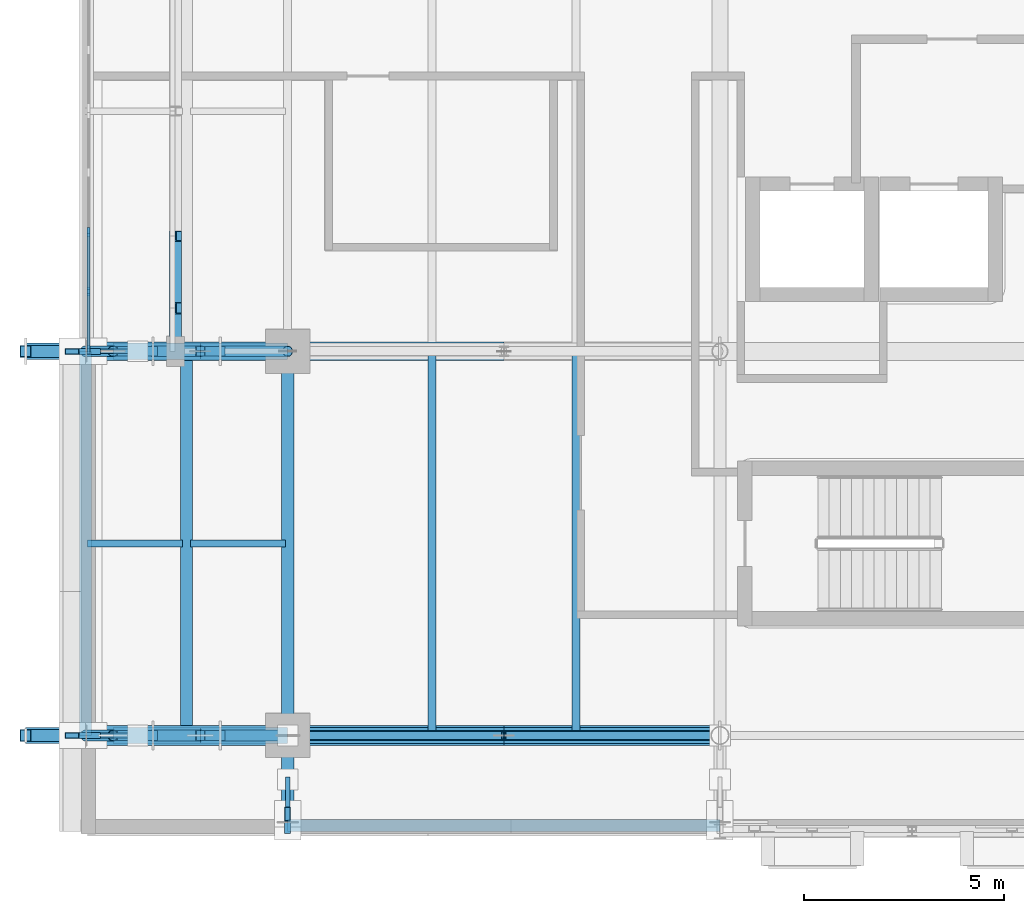
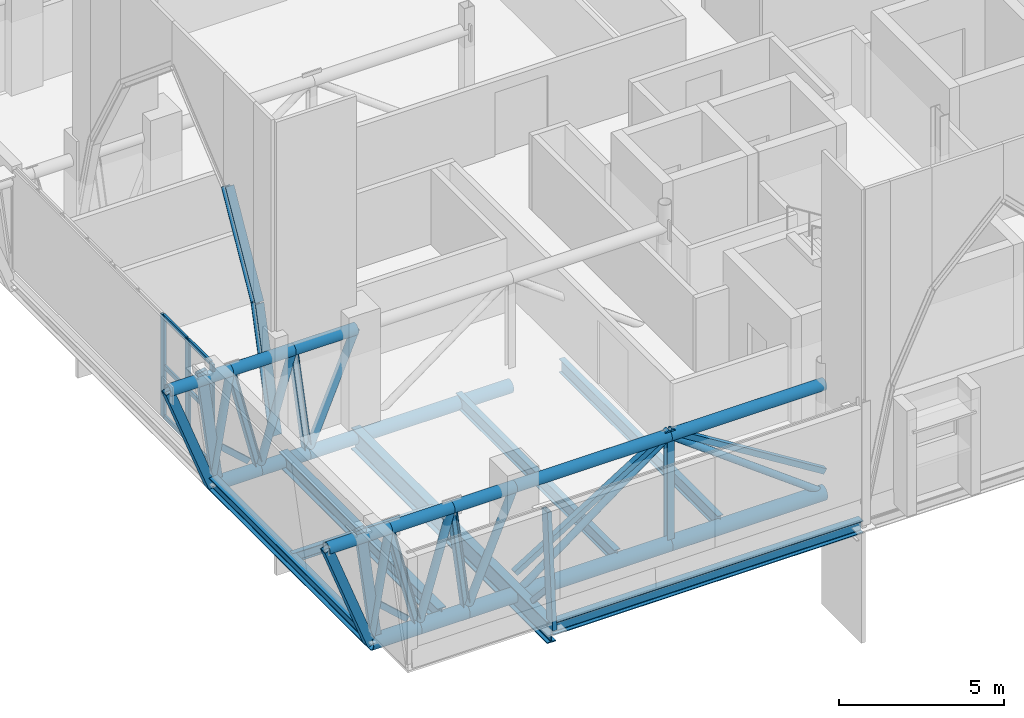
# One storey, part 19 of 90: 51 members, 8 beams, 1 element without a shape of its own.
"""IFC4 building model written with IfcOpenShell, lengths in metres."""

import ifcopenshell
import ifcopenshell.guid

model = None  # the IFC model being written
_history = None  # IfcOwnerHistory: only IFC2X3 demands one
_inside = {}  # id of a spatial element -> (the spatial element, [elements in it])
_under = {}  # id of a project, library or spatial element -> (it, [spatial elements below it])
_declared = {}  # id of a project -> (the project, [libraries it declares])
_typed = {}  # id of a type object -> (the type object, [elements of that type])
_made_of = {}  # id of a material, layer set ... -> (it, [elements and type objects made of it])


def new_model(schema):
    """Start an empty IFC model of exactly this schema.

    Asked for "IFC4X3", IfcOpenShell would pick the latest addendum, in which some entities
    have other attributes; the version numbers below select the first issue.
    IFC2X3 requires an IfcOwnerHistory on every rooted entity: one is made here for all.
    """
    global model, _history
    if schema == "IFC4X3":
        model = ifcopenshell.file(schema_version=(4, 3, 0, 0))
    else:
        model = ifcopenshell.file(schema=schema)
    _inside.clear()
    _under.clear()
    _declared.clear()
    _typed.clear()
    _made_of.clear()
    _history = None
    if model.schema == "IFC2X3":
        org = make("IfcOrganization", Name="unknown")
        user = make(
            "IfcPersonAndOrganization",
            ThePerson=make("IfcPerson", FamilyName="unknown"),
            TheOrganization=org,
        )
        app = make(
            "IfcApplication",
            ApplicationDeveloper=org,
            Version="unknown",
            ApplicationFullName="unknown",
            ApplicationIdentifier="unknown",
        )
        _history = make(
            "IfcOwnerHistory",
            OwningUser=user,
            OwningApplication=app,
            ChangeAction="ADDED",
            CreationDate=0,
        )
    return model


def make(cls, **values):
    """One entity of the class cls with the attributes given. An attribute that is None is left unset."""
    return model.create_entity(
        cls, **{name: value for name, value in values.items() if value is not None}
    )


def rooted(cls, **values):
    """An entity with a GlobalId (a new one), such as an element, a storey or a relation."""
    return make(cls, GlobalId=ifcopenshell.guid.new(), OwnerHistory=_history, **values)


def si_unit(unit_type, name, prefix=None):
    """IfcSIUnit, for example si_unit("LENGTHUNIT", "METRE", prefix="MILLI")."""
    return make("IfcSIUnit", UnitType=unit_type, Prefix=prefix, Name=name)


def assignment(units):
    """IfcUnitAssignment: the units of a project."""
    return None if units is None else make("IfcUnitAssignment", Units=units)


def point(xyz):
    """IfcCartesianPoint."""
    return None if xyz is None else make("IfcCartesianPoint", Coordinates=xyz)


def direction(xyz):
    """IfcDirection."""
    return None if xyz is None else make("IfcDirection", DirectionRatios=xyz)


def frame(location, z_axis=None, x_axis=None):
    """IfcAxis2Placement3D, a coordinate frame: its origin and axes. An axis left out is left unset."""
    return make(
        "IfcAxis2Placement3D",
        Location=point(location),
        Axis=direction(z_axis),
        RefDirection=direction(x_axis),
    )


def frame_2d(location, x_axis=None):
    """IfcAxis2Placement2D, a coordinate frame in the plane: its origin and x axis."""
    return make(
        "IfcAxis2Placement2D", Location=point(location), RefDirection=direction(x_axis)
    )


def origin():
    """The frame at (0, 0, 0) with its axes left unset."""
    return frame((0.0, 0.0, 0.0))


def origin_2d():
    """The frame at (0, 0) in the plane with its x axis left unset."""
    return frame_2d((0.0, 0.0))


def place(relative_to, where):
    """IfcLocalPlacement: puts the frame where relative to a parent placement (None: the world)."""
    return make(
        "IfcLocalPlacement", PlacementRelTo=relative_to, RelativePlacement=where
    )


def context(
    kind, dimensions, precision=None, world=None, true_north=None, identifier=None
):
    """IfcGeometricRepresentationContext, for example the 3D "Model" context."""
    return make(
        "IfcGeometricRepresentationContext",
        ContextIdentifier=identifier,
        ContextType=kind,
        CoordinateSpaceDimension=dimensions,
        Precision=precision,
        WorldCoordinateSystem=world,
        TrueNorth=true_north,
    )


def subcontext(parent, identifier, kind, view, scale=None):
    """IfcGeometricRepresentationSubContext, for example "Body" below "Model"."""
    return make(
        "IfcGeometricRepresentationSubContext",
        ContextIdentifier=identifier,
        ContextType=kind,
        ParentContext=parent,
        TargetScale=scale,
        TargetView=view,
    )


def project(units=None, contexts=None):
    """IfcProject with its units and contexts."""
    return rooted(
        "IfcProject",
        Name="project",
        RepresentationContexts=contexts,
        UnitsInContext=assignment(units),
    )


def spatial(cls, under=None, at=None, **own):
    """A site, building, storey or space (cls), placed at a placement, below another one or the project."""
    s = rooted(cls, ObjectPlacement=at, **own)
    if under is not None:
        _under.setdefault(under.id(), (under, []))[1].append(s)
    return s


def profile(cls, at=None, kind="AREA", **sizes):
    """A parametric profile (cls). Its sizes go by their IFC names, for example OverallWidth=200.0."""
    return make(cls, ProfileType=kind, Position=at, **sizes)


def rectangle(**sizes):
    """IfcRectangleProfileDef."""
    return profile("IfcRectangleProfileDef", **sizes)


def hollow_rectangle(**sizes):
    """IfcRectangleHollowProfileDef."""
    return profile("IfcRectangleHollowProfileDef", **sizes)


def hollow_circle(**sizes):
    """IfcCircleHollowProfileDef."""
    return profile("IfcCircleHollowProfileDef", **sizes)


def i_section(**sizes):
    """IfcIShapeProfileDef."""
    return profile("IfcIShapeProfileDef", **sizes)


def extrude(swept, where, along, depth):
    """IfcExtrudedAreaSolid: the profile swept, set in the frame where, extruded along a direction by depth."""
    return make(
        "IfcExtrudedAreaSolid",
        SweptArea=swept,
        Position=where,
        ExtrudedDirection=direction(along),
        Depth=depth,
    )


def shape(context_of_items, identifier, shape_type, items):
    """IfcShapeRepresentation: the items that make up one representation, for example the "Body"."""
    return make(
        "IfcShapeRepresentation",
        ContextOfItems=context_of_items,
        RepresentationIdentifier=identifier,
        RepresentationType=shape_type,
        Items=items,
    )


def material(Name=None, Category=None):
    """IfcMaterial."""
    return make("IfcMaterial", Name=Name, Category=Category)


def layer(
    of_material, thickness, ventilated=None, Name=None, Category=None, Priority=None
):
    """IfcMaterialLayer: one layer of a wall or slab, of a material (None: an air gap)."""
    return make(
        "IfcMaterialLayer",
        Material=of_material,
        LayerThickness=thickness,
        IsVentilated=ventilated,
        Name=Name,
        Category=Category,
        Priority=Priority,
    )


def layer_set(layers, Name=None):
    """IfcMaterialLayerSet."""
    return make("IfcMaterialLayerSet", MaterialLayers=layers, LayerSetName=Name)


def material_profile(
    of_material, cross_section, Name=None, Category=None, Priority=None
):
    """IfcMaterialProfile: a cross section and its material."""
    return make(
        "IfcMaterialProfile",
        Name=Name,
        Material=of_material,
        Profile=cross_section,
        Priority=Priority,
        Category=Category,
    )


def profile_set(profiles, Name=None, composite=None):
    """IfcMaterialProfileSet."""
    return make(
        "IfcMaterialProfileSet",
        Name=Name,
        MaterialProfiles=profiles,
        CompositeProfile=composite,
    )


def made_of(thing, what):
    """Note that an element or type object is made of a material, layer set ...; save() writes the relation."""
    if what is not None:
        _made_of.setdefault(what.id(), (what, []))[1].append(thing)
    return thing


def type_object(cls, material=None, **own):
    """A type object (cls), such as IfcWallType, which elements share."""
    return made_of(rooted(cls, **own), material)


def element(
    cls,
    number,
    at=None,
    inside=None,
    cuts=None,
    type_object=None,
    material=None,
    context=None,
    identifier="Body",
    shape_type=None,
    held_by="IfcProductDefinitionShape",
    body=None,
    shapes=None,
    **own,
):
    """One element of the class cls, such as IfcWall. Its Tag is "e" and its number.

    at: its placement. inside: the storey or other place that contains it. cuts: it is an
    opening in that element (IfcRelVoidsElement). A single representation is given by context,
    identifier, shape_type and body (its items); several are given by shapes. held_by: the class
    of the entity that holds the representations. save() writes the other relations.
    """
    e = rooted(cls, Tag="e%d" % number, ObjectPlacement=at, **own)
    if body is not None:
        shapes = [shape(context, identifier, shape_type, body)]
    if shapes is not None:
        e.Representation = make(held_by, Representations=shapes)
    if inside is not None:
        _inside.setdefault(inside.id(), (inside, []))[1].append(e)
    if cuts is not None:
        rooted(
            "IfcRelVoidsElement", RelatingBuildingElement=cuts, RelatedOpeningElement=e
        )
    if type_object is not None:
        _typed.setdefault(type_object.id(), (type_object, []))[1].append(e)
    return made_of(e, material)


def aggregate(whole, parts):
    """IfcRelAggregates: a whole, such as a stair, and the parts it consists of."""
    return rooted("IfcRelAggregates", RelatingObject=whole, RelatedObjects=parts)


def save(model, path):
    """Write the relations noted so far, then the file.

    IfcRelAggregates (storeys below a building ...), IfcRelContainedInSpatialStructure (elements
    in a storey), IfcRelDefinesByType, IfcRelAssociatesMaterial and IfcRelDeclares: one each for
    every whole, place, type object, material and project.
    """
    for whole, parts in _under.values():
        aggregate(whole, parts)
    for where, things in _inside.values():
        rooted(
            "IfcRelContainedInSpatialStructure",
            RelatedElements=things,
            RelatingStructure=where,
        )
    for kind, things in _typed.values():
        rooted("IfcRelDefinesByType", RelatedObjects=things, RelatingType=kind)
    for what, things in _made_of.values():
        rooted("IfcRelAssociatesMaterial", RelatedObjects=things, RelatingMaterial=what)
    for by, libraries in _declared.values():
        rooted("IfcRelDeclares", RelatingContext=by, RelatedDefinitions=libraries)
    model.write(path)


model = new_model("IFC4")

# Units and contexts
model_context = context("Model", 3, precision=1e-05, world=origin(), true_north=direction((0.0, 1.0)))
body_context = subcontext(model_context, "Body", "Model", "MODEL_VIEW")
ifc_project = project(units=[si_unit("LENGTHUNIT", "METRE"), si_unit("AREAUNIT", "SQUARE_METRE"), si_unit("VOLUMEUNIT", "CUBIC_METRE"), si_unit("PLANEANGLEUNIT", "RADIAN"), si_unit("MASSUNIT", "GRAM", prefix="KILO")], contexts=[model_context])

# Site, building, storey
site_placement = place(None, origin())
site = spatial("IfcSite", under=ifc_project, at=site_placement, CompositionType="ELEMENT")
building_placement = place(site_placement, origin())
building = spatial("IfcBuilding", under=site, at=building_placement, Name="Zereglee Splitstone Museum", CompositionType="ELEMENT")
storey_placement = place(building_placement, frame((0.0, 0.0, 4.800048828125)))
storey = spatial("IfcBuildingStorey", under=building, at=storey_placement, Name="L01", CompositionType="ELEMENT", Elevation=4.800048828125)

# Members
ifc_material_1 = material(Name="Steel S355J2H", Category="steel")
ifc_material_profile_1 = material_profile(ifc_material_1, hollow_circle(Radius=0.122314453125, WallThickness=0.012451171875, at=origin_2d()), Name="CHS 244.5x12.5")
ifc_profile_set_1 = profile_set([ifc_material_profile_1], Name="Steel S355J2H")
member_type_1 = type_object("IfcMemberType", Name="TB-02", PredefinedType="BRACE", material=ifc_profile_set_1)
for number, where, z_axis, x_axis, name in (
    (1, (9.60009765625, 0.0, -0.699951171875), (0.803552044655, 0.0, 0.595234501294), (0.0, 1.0, 0.0), "Cantilever Truss CT-01 Web Brace L01-4"),
    (2, (20.39990234375, 0.0, -0.699951171875), (-0.803552044655, 0.0, 0.595234501294), (0.0, -1.0, 0.0), "Cantilever Truss CT-01 Web Brace L01-5"),
):
    element("IfcMember", number, at=place(storey_placement, frame(where, z_axis=z_axis, x_axis=x_axis)), inside=storey, type_object=member_type_1, Name=name, PredefinedType="BRACE", context=body_context, shape_type="SweptSolid", body=[
        extrude(hollow_circle(Radius=0.122314453125, WallThickness=0.012451171875, at=origin_2d()), origin(), (0.0, 0.0, 1.0), 6.719970703125),
    ])
ifc_material_profile_2 = material_profile(ifc_material_1, hollow_circle(Radius=0.136474609375, WallThickness=0.012451171875, at=origin_2d()), Name="CHS 273.0x12.5")
ifc_profile_set_2 = profile_set([ifc_material_profile_2], Name="Steel S355J2H")
member_type_2 = type_object("IfcMemberType", Name="TB-01", PredefinedType="BRACE", material=ifc_profile_set_2)
member_1_placement = place(storey_placement, frame((4.550048828125, 0.0, -0.699951171875), z_axis=(0.168397696693, 0.0, 0.985719136341), x_axis=(0.0, 1.0, 0.0)))
element("IfcMember", 3, at=member_1_placement, inside=storey, type_object=member_type_2, Name="Cantilever Truss CT-01 Web Brace L01-1", PredefinedType="BRACE", context=body_context, shape_type="SweptSolid", body=[
    extrude(hollow_circle(Radius=0.136474609375, WallThickness=0.012451171875, at=origin_2d()), origin(), (0.0, 0.0, 1.0), 4.057861328125),
])
member_2_placement = place(storey_placement, frame((6.2333984375, 0.0, -0.699951171875), z_axis=(0.283683776864, 0.0, 0.958917887383), x_axis=(0.0, 1.0, 0.0)))
element("IfcMember", 4, at=member_2_placement, inside=storey, type_object=member_type_2, Name="Cantilever Truss CT-01 Web Brace L01-2", PredefinedType="BRACE", context=body_context, shape_type="SweptSolid", body=[
    extrude(hollow_circle(Radius=0.136474609375, WallThickness=0.012451171875, at=origin_2d()), origin(), (0.0, 0.0, 1.0), 4.17138671875),
])
member_3_placement = place(storey_placement, frame((7.916748046875, 0.0, -0.699951171875), z_axis=(0.387888488843, 0.0, 0.921706309094), x_axis=(0.0, 1.0, 0.0)))
element("IfcMember", 5, at=member_3_placement, inside=storey, type_object=member_type_2, Name="Cantilever Truss CT-01 Web Brace L01-3", PredefinedType="BRACE", context=body_context, shape_type="SweptSolid", body=[
    extrude(hollow_circle(Radius=0.136474609375, WallThickness=0.012451171875, at=origin_2d()), origin(), (0.0, 0.0, 1.0), 4.33984375),
])
member_4_placement = place(storey_placement, frame((4.550048828125, 9.60009765625, -0.699951171875), z_axis=(0.168397696693, 0.0, 0.985719136341), x_axis=(0.0, 1.0, 0.0)))
element("IfcMember", 6, at=member_4_placement, inside=storey, type_object=member_type_2, Name="Cantilever Truss CT-02 Web Brace L01-1", PredefinedType="BRACE", context=body_context, shape_type="SweptSolid", body=[
    extrude(hollow_circle(Radius=0.136474609375, WallThickness=0.012451171875, at=origin_2d()), origin(), (0.0, 0.0, 1.0), 4.057861328125),
])
member_5_placement = place(storey_placement, frame((6.2333984375, 9.60009765625, -0.699951171875), z_axis=(0.283683776864, 0.0, 0.958917887383), x_axis=(0.0, 1.0, 0.0)))
element("IfcMember", 7, at=member_5_placement, inside=storey, type_object=member_type_2, Name="Cantilever Truss CT-02 Web Brace L01-2", PredefinedType="BRACE", context=body_context, shape_type="SweptSolid", body=[
    extrude(hollow_circle(Radius=0.136474609375, WallThickness=0.012451171875, at=origin_2d()), origin(), (0.0, 0.0, 1.0), 4.17138671875),
])
member_6_placement = place(storey_placement, frame((7.916748046875, 9.60009765625, -0.699951171875), z_axis=(0.387888488843, 0.0, 0.921706309094), x_axis=(0.0, 1.0, 0.0)))
element("IfcMember", 8, at=member_6_placement, inside=storey, type_object=member_type_2, Name="Cantilever Truss CT-02 Web Brace L01-3", PredefinedType="BRACE", context=body_context, shape_type="SweptSolid", body=[
    extrude(hollow_circle(Radius=0.136474609375, WallThickness=0.012451171875, at=origin_2d()), origin(), (0.0, 0.0, 1.0), 4.33984375),
])
ifc_material_profile_3 = material_profile(ifc_material_1, hollow_rectangle(XDim=0.199951171875, YDim=0.199951171875, WallThickness=0.010009765625, at=origin_2d()), Name="SHS 200x200x10")
ifc_profile_set_3 = profile_set([ifc_material_profile_3], Name="Steel S355J2H")
member_type_3 = type_object("IfcMemberType", Name="TB-07", PredefinedType="BRACE", material=ifc_profile_set_3)
for number, where, z_axis, x_axis, name in (
    (9, (9.60009765625, 0.0, 0.119873046875), (0.849044741702, 0.0, 0.528320950359), (0.0, 1.0, 0.0), "Lateral Braced Frame Chevron L01-001A"),
    (10, (20.39990234375, 0.0, 0.119873046875), (-0.849044741702, 0.0, 0.528320950359), (0.0, -1.0, 0.0), "Lateral Braced Frame Chevron L01-001B"),
):
    element("IfcMember", number, at=place(storey_placement, frame(where, z_axis=z_axis, x_axis=x_axis)), inside=storey, type_object=member_type_3, Name=name, PredefinedType="BRACE", context=body_context, shape_type="SweptSolid", body=[
        extrude(hollow_rectangle(XDim=0.199951171875, YDim=0.199951171875, WallThickness=0.010009765625, at=origin_2d()), origin(), (0.0, 0.0, 1.0), 6.35986328125),
    ])

# Curtain wall, members
ifc_material_2 = material(Name="Triple-glazed low-E argon glass and bronze-anodised aluminium", Category="aluminium")
ifc_layer = layer(ifc_material_2, 0.219970703125)
ifc_layer_set = layer_set([ifc_layer], Name="Triple-glazed low-E argon glass and bronze-anodised aluminium")
curtain_wall_type = type_object("IfcCurtainWallType", Name="CW-0596-376", PredefinedType="USERDEFINED", material=ifc_layer_set)
curtain_wall_placement = place(storey_placement, origin())
curtain_wall = element("IfcCurtainWall", 11, at=curtain_wall_placement, inside=storey, type_object=curtain_wall_type, Name="Glazed Curtain Wall CW-0596-376 (L01)", ObjectType="GLAZED CURTAIN WALL", PredefinedType="USERDEFINED")
ifc_material_3 = material(Name="Thermally broken bronze-anodised aluminium", Category="aluminium")
ifc_material_profile_4 = material_profile(ifc_material_3, rectangle(XDim=0.074951171875, YDim=0.219970703125, at=origin_2d()), Name="CW MULL 75x220")
ifc_profile_set_4 = profile_set([ifc_material_profile_4], Name="Thermally broken bronze-anodised aluminium")
member_type_4 = type_object("IfcMemberType", Name="CWM-02", PredefinedType="MULLION", material=ifc_profile_set_4)
member_7_placement = place(storey_placement, frame((4.6201171875, 12.580078125, 0.0), z_axis=(0.0, 0.0, 1.0), x_axis=(1.0, 0.0, 0.0)))
member_7 = element("IfcMember", 12, at=member_7_placement, type_object=member_type_4, Name="CW-0596-376 mullion 3", PredefinedType="MULLION", context=body_context, shape_type="SweptSolid", body=[
    extrude(rectangle(XDim=0.074951171875, YDim=0.219970703125, at=origin_2d()), origin(), (0.0, 0.0, 1.0), 3.760009765625),
])
member_8_placement = place(storey_placement, frame((4.6201171875, 11.090087890625, 0.0), z_axis=(0.0, 0.0, 1.0), x_axis=(1.0, 0.0, 0.0)))
member_8 = element("IfcMember", 13, at=member_8_placement, type_object=member_type_4, Name="CW-0596-376 mullion 4", PredefinedType="MULLION", context=body_context, shape_type="SweptSolid", body=[
    extrude(rectangle(XDim=0.074951171875, YDim=0.219970703125, at=origin_2d()), origin(), (0.0, 0.0, 1.0), 3.760009765625),
])
member_9_placement = place(storey_placement, frame((4.6201171875, 9.637451171875, 0.0), z_axis=(0.0, 0.0, 1.0), x_axis=(1.0, 0.0, 0.0)))
member_9 = element("IfcMember", 14, at=member_9_placement, type_object=member_type_4, Name="CW-0596-376 mullion 5", PredefinedType="MULLION", context=body_context, shape_type="SweptSolid", body=[
    extrude(rectangle(XDim=0.074951171875, YDim=0.219970703125, at=origin_2d()), origin(), (0.0, 0.0, 1.0), 3.760009765625),
])
ifc_material_profile_5 = material_profile(ifc_material_3, rectangle(XDim=0.074951171875, YDim=0.1650390625, at=origin_2d()), Name="CW TRAN 75x165")
ifc_profile_set_5 = profile_set([ifc_material_profile_5], Name="Thermally broken bronze-anodised aluminium")
member_type_5 = type_object("IfcMemberType", Name="CWT-02", PredefinedType="USERDEFINED", material=ifc_profile_set_5)
member_10_placement = place(storey_placement, frame((4.6201171875, 12.54248046875, 0.037353515625), z_axis=(0.0, -1.0, 0.0), x_axis=(1.0, 0.0, 0.0)))
member_10 = element("IfcMember", 15, at=member_10_placement, type_object=member_type_5, Name="CW-0596-376 transom 3.1", ObjectType="TRANSOM", PredefinedType="USERDEFINED", context=body_context, shape_type="SweptSolid", body=[
    extrude(rectangle(XDim=0.074951171875, YDim=0.1650390625, at=origin_2d()), origin(), (0.0, 0.0, 1.0), 1.4150390625),
])
member_11_placement = place(storey_placement, frame((4.6201171875, 12.54248046875, 1.8798828125), z_axis=(0.0, -1.0, 0.0), x_axis=(1.0, 0.0, 0.0)))
member_11 = element("IfcMember", 16, at=member_11_placement, type_object=member_type_5, Name="CW-0596-376 transom 3.2", ObjectType="TRANSOM", PredefinedType="USERDEFINED", context=body_context, shape_type="SweptSolid", body=[
    extrude(rectangle(XDim=0.074951171875, YDim=0.1650390625, at=origin_2d()), origin(), (0.0, 0.0, 1.0), 1.4150390625),
])
member_12_placement = place(storey_placement, frame((4.6201171875, 12.54248046875, 3.722412109375), z_axis=(0.0, -1.0, 0.0), x_axis=(1.0, 0.0, 0.0)))
member_12 = element("IfcMember", 17, at=member_12_placement, type_object=member_type_5, Name="CW-0596-376 transom 3.3", ObjectType="TRANSOM", PredefinedType="USERDEFINED", context=body_context, shape_type="SweptSolid", body=[
    extrude(rectangle(XDim=0.074951171875, YDim=0.1650390625, at=origin_2d()), origin(), (0.0, 0.0, 1.0), 1.4150390625),
])
member_13_placement = place(storey_placement, frame((4.6201171875, 11.052490234375, 0.037353515625), z_axis=(0.0, -1.0, 0.0), x_axis=(1.0, 0.0, 0.0)))
member_13 = element("IfcMember", 18, at=member_13_placement, type_object=member_type_5, Name="CW-0596-376 transom 4.1", ObjectType="TRANSOM", PredefinedType="USERDEFINED", context=body_context, shape_type="SweptSolid", body=[
    extrude(rectangle(XDim=0.074951171875, YDim=0.1650390625, at=origin_2d()), origin(), (0.0, 0.0, 1.0), 1.37744140625),
])
member_14_placement = place(storey_placement, frame((4.6201171875, 11.052490234375, 1.8798828125), z_axis=(0.0, -1.0, 0.0), x_axis=(1.0, 0.0, 0.0)))
member_14 = element("IfcMember", 19, at=member_14_placement, type_object=member_type_5, Name="CW-0596-376 transom 4.2", ObjectType="TRANSOM", PredefinedType="USERDEFINED", context=body_context, shape_type="SweptSolid", body=[
    extrude(rectangle(XDim=0.074951171875, YDim=0.1650390625, at=origin_2d()), origin(), (0.0, 0.0, 1.0), 1.37744140625),
])
member_15_placement = place(storey_placement, frame((4.6201171875, 11.052490234375, 3.722412109375), z_axis=(0.0, -1.0, 0.0), x_axis=(1.0, 0.0, 0.0)))
member_15 = element("IfcMember", 20, at=member_15_placement, type_object=member_type_5, Name="CW-0596-376 transom 4.3", ObjectType="TRANSOM", PredefinedType="USERDEFINED", context=body_context, shape_type="SweptSolid", body=[
    extrude(rectangle(XDim=0.074951171875, YDim=0.1650390625, at=origin_2d()), origin(), (0.0, 0.0, 1.0), 1.37744140625),
])
aggregate(curtain_wall, [member_7, member_8, member_9, member_10, member_11, member_12, member_13, member_14, member_15])

# Members
ifc_material_4 = material(Name="Steel S355J2", Category="steel")
ifc_material_profile_6 = material_profile(ifc_material_4, i_section(OverallWidth=0.300048828125, OverallDepth=0.300048828125, WebThickness=0.010986328125, FlangeThickness=0.01904296875, FilletRadius=0.027099609375, at=origin_2d()), Name="HE 300 B")
ifc_profile_set_6 = profile_set([ifc_material_profile_6], Name="Steel S355J2")
member_type_6 = type_object("IfcMemberType", Name="TC-08", PredefinedType="CHORD", material=ifc_profile_set_6)
member_16_placement = place(storey_placement, frame((6.800048828125, 9.60009765625, 0.39990234375), z_axis=(0.0, 0.249007846883, 0.968501467315), x_axis=(-1.0, 0.0, 0.0)))
element("IfcMember", 21, at=member_16_placement, inside=storey, type_object=member_type_6, Name="Mughal Four-Centred Pointed Arch Rib PSQ-WEST-1-1", PredefinedType="CHORD", context=body_context, shape_type="SweptSolid", body=[
    extrude(i_section(OverallWidth=0.300048828125, OverallDepth=0.300048828125, WebThickness=0.010986328125, FlangeThickness=0.01904296875, FilletRadius=0.027099609375, at=origin_2d()), origin(), (0.0, 0.0, 1.0), 4.33642578125),
])
member_17_placement = place(storey_placement, frame((6.800048828125, 10.679931640625, 4.599853515625), z_axis=(0.0, 0.490248611941, 0.871582640081), x_axis=(-1.0, 0.0, 0.0)))
element("IfcMember", 22, at=member_17_placement, inside=storey, type_object=member_type_6, Name="Mughal Four-Centred Pointed Arch Rib PSQ-WEST-1-2", PredefinedType="CHORD", context=body_context, shape_type="SweptSolid", body=[
    extrude(i_section(OverallWidth=0.300048828125, OverallDepth=0.300048828125, WebThickness=0.010986328125, FlangeThickness=0.01904296875, FilletRadius=0.027099609375, at=origin_2d()), origin(), (0.0, 0.0, 1.0), 3.671630859375),
])
ifc_material_profile_7 = material_profile(ifc_material_1, hollow_circle(Radius=0.203125, WallThickness=0.02001953125, at=origin_2d()), Name="CHS 406.4x20")
ifc_profile_set_7 = profile_set([ifc_material_profile_7], Name="Steel S355J2H")
member_type_7 = type_object("IfcMemberType", Name="TC-03", PredefinedType="CHORD", material=ifc_profile_set_7)
for number, where, z_axis, x_axis, name in (
    (23, (3.050048828125, 0.0, 3.300048828125), (1.0, 0.0, 0.0), (0.0, 1.0, 0.0), "Cantilever Truss CT-01 Top Chord L01-1"),
    (24, (5.2333984375, 0.0, 3.300048828125), (1.0, 0.0, 0.0), (0.0, 1.0, 0.0), "Cantilever Truss CT-01 Top Chord L01-2"),
    (25, (7.416748046875, 0.0, 3.300048828125), (1.0, 0.0, 0.0), (0.0, 1.0, 0.0), "Cantilever Truss CT-01 Top Chord L01-3"),
):
    element("IfcMember", number, at=place(storey_placement, frame(where, z_axis=z_axis, x_axis=x_axis)), inside=storey, type_object=member_type_7, Name=name, PredefinedType="CHORD", context=body_context, shape_type="SweptSolid", body=[
        extrude(hollow_circle(Radius=0.203125, WallThickness=0.02001953125, at=origin_2d()), origin(), (0.0, 0.0, 1.0), 2.183349609375),
    ])
for number, where, z_axis, x_axis, name in (
    (26, (9.60009765625, 0.0, 3.300048828125), (1.0, 0.0, 0.0), (0.0, 1.0, 0.0), "Cantilever Truss CT-01 Top Chord L01-4"),
    (27, (15.0, 0.0, 3.300048828125), (1.0, 0.0, 0.0), (0.0, 1.0, 0.0), "Cantilever Truss CT-01 Top Chord L01-5"),
):
    element("IfcMember", number, at=place(storey_placement, frame(where, z_axis=z_axis, x_axis=x_axis)), inside=storey, type_object=member_type_7, Name=name, PredefinedType="CHORD", context=body_context, shape_type="SweptSolid", body=[
        extrude(hollow_circle(Radius=0.203125, WallThickness=0.02001953125, at=origin_2d()), origin(), (0.0, 0.0, 1.0), 5.39990234375),
    ])
for number, where, z_axis, x_axis, name in (
    (28, (3.050048828125, 9.60009765625, 3.300048828125), (1.0, 0.0, 0.0), (0.0, 1.0, 0.0), "Cantilever Truss CT-02 Top Chord L01-1"),
    (29, (5.2333984375, 9.60009765625, 3.300048828125), (1.0, 0.0, 0.0), (0.0, 1.0, 0.0), "Cantilever Truss CT-02 Top Chord L01-2"),
    (30, (7.416748046875, 9.60009765625, 3.300048828125), (1.0, 0.0, 0.0), (0.0, 1.0, 0.0), "Cantilever Truss CT-02 Top Chord L01-3"),
):
    element("IfcMember", number, at=place(storey_placement, frame(where, z_axis=z_axis, x_axis=x_axis)), inside=storey, type_object=member_type_7, Name=name, PredefinedType="CHORD", context=body_context, shape_type="SweptSolid", body=[
        extrude(hollow_circle(Radius=0.203125, WallThickness=0.02001953125, at=origin_2d()), origin(), (0.0, 0.0, 1.0), 2.183349609375),
    ])
ifc_material_profile_8 = material_profile(ifc_material_1, hollow_circle(Radius=0.228515625, WallThickness=0.02001953125, at=origin_2d()), Name="CHS 457.0x20")
ifc_profile_set_8 = profile_set([ifc_material_profile_8], Name="Steel S355J2H")
member_type_8 = type_object("IfcMemberType", Name="TC-02", PredefinedType="CHORD", material=ifc_profile_set_8)
for number, where, z_axis, x_axis, name in (
    (31, (4.550048828125, 9.60009765625, -0.699951171875), (1.0, 0.0, 0.0), (0.0, 1.0, 0.0), "Cantilever Truss CT-02 Bottom Chord 1"),
    (32, (6.2333984375, 9.60009765625, -0.699951171875), (1.0, 0.0, 0.0), (0.0, 1.0, 0.0), "Cantilever Truss CT-02 Bottom Chord 2"),
    (33, (7.916748046875, 9.60009765625, -0.699951171875), (1.0, 0.0, 0.0), (0.0, 1.0, 0.0), "Cantilever Truss CT-02 Bottom Chord 3"),
):
    element("IfcMember", number, at=place(storey_placement, frame(where, z_axis=z_axis, x_axis=x_axis)), inside=storey, type_object=member_type_8, Name=name, PredefinedType="CHORD", context=body_context, shape_type="SweptSolid", body=[
        extrude(hollow_circle(Radius=0.228515625, WallThickness=0.02001953125, at=origin_2d()), origin(), (0.0, 0.0, 1.0), 1.683349609375),
    ])
member_18_placement = place(storey_placement, frame((9.60009765625, 9.60009765625, -0.699951171875), z_axis=(1.0, 0.0, 0.0), x_axis=(0.0, 1.0, 0.0)))
element("IfcMember", 34, at=member_18_placement, inside=storey, type_object=member_type_8, Name="Cantilever Truss CT-02 Bottom Chord 4", PredefinedType="CHORD", context=body_context, shape_type="SweptSolid", body=[
    extrude(hollow_circle(Radius=0.228515625, WallThickness=0.02001953125, at=origin_2d()), origin(), (0.0, 0.0, 1.0), 5.39990234375),
])
ifc_material_profile_9 = material_profile(ifc_material_1, hollow_circle(Radius=0.25390625, WallThickness=0.02490234375, at=origin_2d()), Name="CHS 508.0x25")
ifc_profile_set_9 = profile_set([ifc_material_profile_9], Name="Steel S355J2H")
member_type_9 = type_object("IfcMemberType", Name="TC-01", PredefinedType="CHORD", material=ifc_profile_set_9)
for number, where, z_axis, x_axis, name in (
    (35, (4.550048828125, 0.0, -0.699951171875), (1.0, 0.0, 0.0), (0.0, 1.0, 0.0), "Cantilever Truss CT-01 Bottom Chord 1"),
    (36, (6.2333984375, 0.0, -0.699951171875), (1.0, 0.0, 0.0), (0.0, 1.0, 0.0), "Cantilever Truss CT-01 Bottom Chord 2"),
    (37, (7.916748046875, 0.0, -0.699951171875), (1.0, 0.0, 0.0), (0.0, 1.0, 0.0), "Cantilever Truss CT-01 Bottom Chord 3"),
):
    element("IfcMember", number, at=place(storey_placement, frame(where, z_axis=z_axis, x_axis=x_axis)), inside=storey, type_object=member_type_9, Name=name, PredefinedType="CHORD", context=body_context, shape_type="SweptSolid", body=[
        extrude(hollow_circle(Radius=0.25390625, WallThickness=0.02490234375, at=origin_2d()), origin(), (0.0, 0.0, 1.0), 1.683349609375),
    ])
for number, where, z_axis, x_axis, name in (
    (38, (9.60009765625, 0.0, -0.699951171875), (1.0, 0.0, 0.0), (0.0, 1.0, 0.0), "Cantilever Truss CT-01 Bottom Chord 4"),
    (39, (15.0, 0.0, -0.699951171875), (1.0, 0.0, 0.0), (0.0, 1.0, 0.0), "Cantilever Truss CT-01 Bottom Chord 5"),
):
    element("IfcMember", number, at=place(storey_placement, frame(where, z_axis=z_axis, x_axis=x_axis)), inside=storey, type_object=member_type_9, Name=name, PredefinedType="CHORD", context=body_context, shape_type="SweptSolid", body=[
        extrude(hollow_circle(Radius=0.25390625, WallThickness=0.02490234375, at=origin_2d()), origin(), (0.0, 0.0, 1.0), 5.39990234375),
    ])

# Beams
ifc_material_profile_10 = material_profile(ifc_material_4, i_section(OverallWidth=0.300048828125, OverallDepth=0.550048828125, WebThickness=0.014892578125, FlangeThickness=0.029052734375, FilletRadius=0.027099609375, at=origin_2d()), Name="HE 550 B")
ifc_profile_set_10 = profile_set([ifc_material_profile_10], Name="Steel S355J2")
beam_type_1 = type_object("IfcBeamType", Name="BG-11", PredefinedType="BEAM", material=ifc_profile_set_10)
beam_1_placement = place(storey_placement, frame((7.074951171875, 0.0, -0.574951171875), z_axis=(0.0, 1.0, 0.0), x_axis=(-1.0, 0.0, 0.0)))
element("IfcBeam", 40, at=beam_1_placement, inside=storey, type_object=beam_type_1, Name="Cantilever Transverse Girder L01 X=7.08", PredefinedType="BEAM", context=body_context, shape_type="SweptSolid", body=[
    extrude(i_section(OverallWidth=0.300048828125, OverallDepth=0.550048828125, WebThickness=0.014892578125, FlangeThickness=0.029052734375, FilletRadius=0.027099609375, at=origin_2d()), origin(), (0.0, 0.0, 1.0), 9.60009765625),
])
ifc_material_profile_11 = material_profile(ifc_material_4, i_section(OverallWidth=0.300048828125, OverallDepth=0.800048828125, WebThickness=0.017578125, FlangeThickness=0.032958984375, FilletRadius=0.030029296875, at=origin_2d()), Name="HE 800 B")
ifc_profile_set_11 = profile_set([ifc_material_profile_11], Name="Steel S355J2")
beam_type_2 = type_object("IfcBeamType", Name="BG-07", PredefinedType="BEAM", material=ifc_profile_set_11)
beam_2_placement = place(storey_placement, frame((9.60009765625, -2.25, -0.699951171875), z_axis=(0.0, 1.0, 0.0), x_axis=(-1.0, 0.0, 0.0)))
element("IfcBeam", 41, at=beam_2_placement, inside=storey, type_object=beam_type_2, Name="Primary Girder L01 2 (-2.2-9.6)", PredefinedType="BEAM", context=body_context, shape_type="SweptSolid", body=[
    extrude(i_section(OverallWidth=0.300048828125, OverallDepth=0.800048828125, WebThickness=0.017578125, FlangeThickness=0.032958984375, FilletRadius=0.030029296875, at=origin_2d()), origin(), (0.0, 0.0, 1.0), 11.85009765625),
])
ifc_material_profile_12 = material_profile(ifc_material_4, i_section(OverallWidth=0.169921875, OverallDepth=0.360107421875, WebThickness=0.008056640625, FlangeThickness=0.0126953125, FilletRadius=0.01806640625, at=origin_2d()), Name="IPE 360")
ifc_profile_set_12 = profile_set([ifc_material_profile_12], Name="Steel S355J2")
beam_type_3 = type_object("IfcBeamType", Name="BJ-04", PredefinedType="JOIST", material=ifc_profile_set_12)
beam_3_placement = place(storey_placement, frame((4.590087890625, 4.800048828125, -0.47998046875), z_axis=(1.0, 0.0, 0.0), x_axis=(0.0, 1.0, 0.0)))
element("IfcBeam", 42, at=beam_3_placement, inside=storey, type_object=beam_type_3, Name="Cantilever Floor Joist L01-1600", PredefinedType="JOIST", context=body_context, shape_type="SweptSolid", body=[
    extrude(i_section(OverallWidth=0.169921875, OverallDepth=0.360107421875, WebThickness=0.008056640625, FlangeThickness=0.0126953125, FilletRadius=0.01806640625, at=origin_2d()), origin(), (0.0, 0.0, 1.0), 2.385009765625),
])
beam_4_placement = place(storey_placement, frame((7.175048828125, 4.800048828125, -0.47998046875), z_axis=(1.0, 0.0, 0.0), x_axis=(0.0, 1.0, 0.0)))
element("IfcBeam", 43, at=beam_4_placement, inside=storey, type_object=beam_type_3, Name="Cantilever Floor Joist L01-1601", PredefinedType="JOIST", context=body_context, shape_type="SweptSolid", body=[
    extrude(i_section(OverallWidth=0.169921875, OverallDepth=0.360107421875, WebThickness=0.008056640625, FlangeThickness=0.0126953125, FilletRadius=0.01806640625, at=origin_2d()), origin(), (0.0, 0.0, 1.0), 2.375),
])
ifc_material_profile_13 = material_profile(ifc_material_4, i_section(OverallWidth=0.199951171875, OverallDepth=0.5, WebThickness=0.01025390625, FlangeThickness=0.01611328125, FilletRadius=0.02099609375, at=origin_2d()), Name="IPE 500")
ifc_profile_set_13 = profile_set([ifc_material_profile_13], Name="Steel S355J2")
beam_type_4 = type_object("IfcBeamType", Name="BJ-01", PredefinedType="JOIST", material=ifc_profile_set_13)
for number, where, z_axis, x_axis, name in (
    (44, (13.199951171875, 0.0, -0.550048828125), (0.0, 1.0, 0.0), (-1.0, 0.0, 0.0), "Secondary Floor Joist L01-0688"),
    (45, (16.800048828125, 0.0, -0.550048828125), (0.0, 1.0, 0.0), (-1.0, 0.0, 0.0), "Secondary Floor Joist L01-0689"),
):
    element("IfcBeam", number, at=place(storey_placement, frame(where, z_axis=z_axis, x_axis=x_axis)), inside=storey, type_object=beam_type_4, Name=name, PredefinedType="JOIST", context=body_context, shape_type="SweptSolid", body=[
        extrude(i_section(OverallWidth=0.199951171875, OverallDepth=0.5, WebThickness=0.01025390625, FlangeThickness=0.01611328125, FilletRadius=0.02099609375, at=origin_2d()), origin(), (0.0, 0.0, 1.0), 9.60009765625),
    ])

# Members
ifc_material_profile_14 = material_profile(ifc_material_4, i_section(OverallWidth=0.239990234375, OverallDepth=0.239990234375, WebThickness=0.010009765625, FlangeThickness=0.01708984375, FilletRadius=0.02099609375, at=origin_2d()), Name="HE 240 B")
ifc_profile_set_14 = profile_set([ifc_material_profile_14], Name="Steel S355J2")
member_type_10 = type_object("IfcMemberType", Name="TP-02", PredefinedType="POST", material=ifc_profile_set_14)
member_19_placement = place(storey_placement, frame((6.2333984375, 0.0, -0.699951171875), z_axis=(-0.242535625036, 0.0, 0.970142500145), x_axis=(0.0, -1.0, 0.0)))
element("IfcMember", 46, at=member_19_placement, inside=storey, type_object=member_type_10, Name="Cantilever Truss CT-01 Post L01-2", PredefinedType="POST", context=body_context, shape_type="SweptSolid", body=[
    extrude(i_section(OverallWidth=0.239990234375, OverallDepth=0.239990234375, WebThickness=0.010009765625, FlangeThickness=0.01708984375, FilletRadius=0.02099609375, at=origin_2d()), origin(), (0.0, 0.0, 1.0), 4.123046875),
])
member_20_placement = place(storey_placement, frame((7.916748046875, 0.0, -0.699951171875), z_axis=(-0.124034734589, 0.0, 0.992277876714), x_axis=(0.0, -1.0, 0.0)))
element("IfcMember", 47, at=member_20_placement, inside=storey, type_object=member_type_10, Name="Cantilever Truss CT-01 Post L01-3", PredefinedType="POST", context=body_context, shape_type="SweptSolid", body=[
    extrude(i_section(OverallWidth=0.239990234375, OverallDepth=0.239990234375, WebThickness=0.010009765625, FlangeThickness=0.01708984375, FilletRadius=0.02099609375, at=origin_2d()), origin(), (0.0, 0.0, 1.0), 4.03125),
])
member_21_placement = place(storey_placement, frame((15.0, 0.0, -0.699951171875), z_axis=(0.0, 0.0, 1.0), x_axis=(1.0, 0.0, 0.0)))
element("IfcMember", 48, at=member_21_placement, inside=storey, type_object=member_type_10, Name="Cantilever Truss CT-01 Post L01-4", PredefinedType="POST", context=body_context, shape_type="SweptSolid", body=[
    extrude(i_section(OverallWidth=0.239990234375, OverallDepth=0.239990234375, WebThickness=0.010009765625, FlangeThickness=0.01708984375, FilletRadius=0.02099609375, at=origin_2d()), origin(), (0.0, 0.0, 1.0), 4.0),
])
member_22_placement = place(storey_placement, frame((6.2333984375, 9.60009765625, -0.699951171875), z_axis=(-0.242535625036, 0.0, 0.970142500145), x_axis=(0.0, -1.0, 0.0)))
element("IfcMember", 49, at=member_22_placement, inside=storey, type_object=member_type_10, Name="Cantilever Truss CT-02 Post L01-2", PredefinedType="POST", context=body_context, shape_type="SweptSolid", body=[
    extrude(i_section(OverallWidth=0.239990234375, OverallDepth=0.239990234375, WebThickness=0.010009765625, FlangeThickness=0.01708984375, FilletRadius=0.02099609375, at=origin_2d()), origin(), (0.0, 0.0, 1.0), 4.123046875),
])
member_23_placement = place(storey_placement, frame((7.916748046875, 9.60009765625, -0.699951171875), z_axis=(-0.124034734589, 0.0, 0.992277876714), x_axis=(0.0, -1.0, 0.0)))
element("IfcMember", 50, at=member_23_placement, inside=storey, type_object=member_type_10, Name="Cantilever Truss CT-02 Post L01-3", PredefinedType="POST", context=body_context, shape_type="SweptSolid", body=[
    extrude(i_section(OverallWidth=0.239990234375, OverallDepth=0.239990234375, WebThickness=0.010009765625, FlangeThickness=0.01708984375, FilletRadius=0.02099609375, at=origin_2d()), origin(), (0.0, 0.0, 1.0), 4.03125),
])
ifc_material_profile_15 = material_profile(ifc_material_1, hollow_rectangle(XDim=0.300048828125, YDim=0.300048828125, WallThickness=0.01611328125, at=origin_2d()), Name="SHS 300x300x16")
ifc_profile_set_15 = profile_set([ifc_material_profile_15], Name="Steel S355J2H")
member_type_11 = type_object("IfcMemberType", Name="TP-01", PredefinedType="POST", material=ifc_profile_set_15)
for number, where, z_axis, x_axis, name in (
    (51, (4.550048828125, 0.0, -0.699951171875), (-0.351123441588, 0.0, 0.936329177569), (0.0, -1.0, 0.0), "Cantilever Truss CT-01 Post L01-1"),
    (52, (4.550048828125, 9.60009765625, -0.699951171875), (-0.351123441588, 0.0, 0.936329177569), (0.0, -1.0, 0.0), "Cantilever Truss CT-02 Post L01-1"),
):
    element("IfcMember", number, at=place(storey_placement, frame(where, z_axis=z_axis, x_axis=x_axis)), inside=storey, type_object=member_type_11, Name=name, PredefinedType="POST", context=body_context, shape_type="SweptSolid", body=[
        extrude(hollow_rectangle(XDim=0.300048828125, YDim=0.300048828125, WallThickness=0.01611328125, at=origin_2d()), origin(), (0.0, 0.0, 1.0), 4.27197265625),
    ])

# Beams
ifc_material_profile_16 = material_profile(ifc_material_4, i_section(OverallWidth=0.300048828125, OverallDepth=0.449951171875, WebThickness=0.013916015625, FlangeThickness=0.02587890625, FilletRadius=0.027099609375, at=origin_2d()), Name="HE 450 B")
ifc_profile_set_16 = profile_set([ifc_material_profile_16], Name="Steel S355J2")
beam_type_5 = type_object("IfcBeamType", Name="SP-02", PredefinedType="SPANDREL", material=ifc_profile_set_16)
beam_5_placement = place(storey_placement, frame((9.60009765625, -2.25, -0.525146484375), z_axis=(1.0, 0.0, 0.0), x_axis=(0.0, 1.0, 0.0)))
element("IfcBeam", 53, at=beam_5_placement, inside=storey, type_object=beam_type_5, Name="Hovering Soffit Spandrel L01 (9.6-20.4)", PredefinedType="SPANDREL", context=body_context, shape_type="SweptSolid", body=[
    extrude(i_section(OverallWidth=0.300048828125, OverallDepth=0.449951171875, WebThickness=0.013916015625, FlangeThickness=0.02587890625, FilletRadius=0.027099609375, at=origin_2d()), origin(), (0.0, 0.0, 1.0), 10.7998046875),
])
beam_6_placement = place(storey_placement, frame((4.550048828125, 0.0, -0.525146484375), z_axis=(0.0, 1.0, 0.0), x_axis=(-1.0, 0.0, 0.0)))
element("IfcBeam", 54, at=beam_6_placement, inside=storey, type_object=beam_type_5, Name="Cantilever Transverse Girder L01 X=4.55", PredefinedType="SPANDREL", context=body_context, shape_type="SweptSolid", body=[
    extrude(i_section(OverallWidth=0.300048828125, OverallDepth=0.449951171875, WebThickness=0.013916015625, FlangeThickness=0.02587890625, FilletRadius=0.027099609375, at=origin_2d()), origin(), (0.0, 0.0, 1.0), 9.60009765625),
])

# Members
ifc_material_profile_17 = material_profile(ifc_material_1, hollow_rectangle(XDim=0.14990234375, YDim=0.35009765625, WallThickness=0.012451171875, at=origin_2d()), Name="RHS 350x150x12.5")
ifc_profile_set_17 = profile_set([ifc_material_profile_17], Name="Steel S355J2H")
member_type_12 = type_object("IfcMemberType", Name="FS-R0", PredefinedType="STRUT", material=ifc_profile_set_17)
for number, where, z_axis, x_axis, name in (
    (55, (4.751708984375, 0.0, -0.550048828125), (-0.128360970169, 0.0, 0.991727513654), (0.0, -1.0, 0.0), "Split-Rock Continuous Facet Strut FH-V1W-S L01-01"),
    (56, (4.751708984375, 9.60009765625, -0.550048828125), (-0.128360970169, 0.0, 0.991727513654), (0.0, -1.0, 0.0), "Split-Rock Continuous Facet Strut FH-V1W-S L01-02"),
):
    element("IfcMember", number, at=place(storey_placement, frame(where, z_axis=z_axis, x_axis=x_axis)), inside=storey, type_object=member_type_12, Name=name, PredefinedType="STRUT", context=body_context, shape_type="SweptSolid", body=[
        extrude(hollow_rectangle(XDim=0.14990234375, YDim=0.35009765625, WallThickness=0.012451171875, at=origin_2d()), origin(), (0.0, 0.0, 1.0), 4.21484375),
    ])
member_24_placement = place(storey_placement, frame((9.60009765625, -2.28076171875, -0.550048828125), z_axis=(0.0, 0.07681228373, 0.997045572212), x_axis=(-1.0, 0.0, 0.0)))
element("IfcMember", 57, at=member_24_placement, inside=storey, type_object=member_type_12, Name="Split-Rock Continuous Facet Strut FH-V1S-W L01-01", PredefinedType="STRUT", context=body_context, shape_type="SweptSolid", body=[
    extrude(hollow_rectangle(XDim=0.14990234375, YDim=0.35009765625, WallThickness=0.012451171875, at=origin_2d()), origin(), (0.0, 0.0, 1.0), 4.1923828125),
])
ifc_material_profile_18 = material_profile(ifc_material_1, hollow_rectangle(XDim=0.10009765625, YDim=0.179931640625, WallThickness=0.008056640625, at=origin_2d()), Name="RHS 180x100x8")
ifc_profile_set_18 = profile_set([ifc_material_profile_18], Name="Steel S355J2H")
member_type_13 = type_object("IfcMemberType", Name="FS-T2", PredefinedType="STRUT", material=ifc_profile_set_18)
member_25_placement = place(storey_placement, frame((9.60009765625, -1.10009765625, -0.260009765625), z_axis=(0.0, -0.677733526194, 0.735307600582), x_axis=(1.0, 0.0, 0.0)))
element("IfcMember", 58, at=member_25_placement, inside=storey, type_object=member_type_13, Name="Facet Tie-Back Strut FH-V1S-W L01-01", PredefinedType="STRUT", context=body_context, shape_type="SweptSolid", body=[
    extrude(hollow_rectangle(XDim=0.10009765625, YDim=0.179931640625, WallThickness=0.008056640625, at=origin_2d()), origin(), (0.0, 0.0, 1.0), 1.577392578125),
])
ifc_material_profile_19 = material_profile(ifc_material_1, hollow_rectangle(XDim=0.1201171875, YDim=0.199951171875, WallThickness=0.008056640625, at=origin_2d()), Name="RHS 200x120x8")
ifc_profile_set_19 = profile_set([ifc_material_profile_19], Name="Steel S355J2H")
member_type_14 = type_object("IfcMemberType", Name="FS-T1", PredefinedType="STRUT", material=ifc_profile_set_19)
for number, where, z_axis, x_axis, name in (
    (59, (5.85009765625, 0.0, -0.260009765625), (-0.742606839089, 0.0, 0.669727618169), (0.0, -1.0, 0.0), "Facet Tie-Back Strut FH-V1W-S L01-01"),
    (60, (5.85009765625, 9.60009765625, -0.260009765625), (-0.742606839089, 0.0, 0.669727618169), (0.0, -1.0, 0.0), "Facet Tie-Back Strut FH-V1W-S L01-02"),
):
    element("IfcMember", number, at=place(storey_placement, frame(where, z_axis=z_axis, x_axis=x_axis)), inside=storey, type_object=member_type_14, Name=name, PredefinedType="STRUT", context=body_context, shape_type="SweptSolid", body=[
        extrude(hollow_rectangle(XDim=0.1201171875, YDim=0.199951171875, WallThickness=0.008056640625, at=origin_2d()), origin(), (0.0, 0.0, 1.0), 1.73193359375),
    ])

save(model, "model.ifc")
